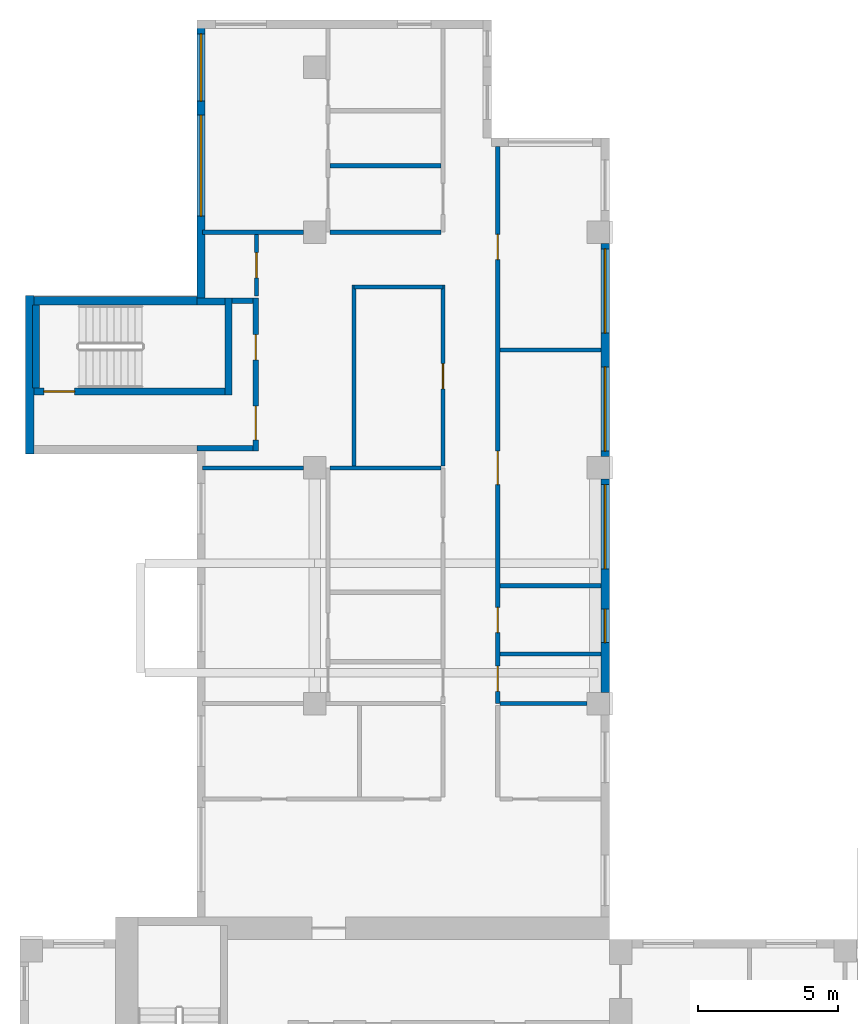
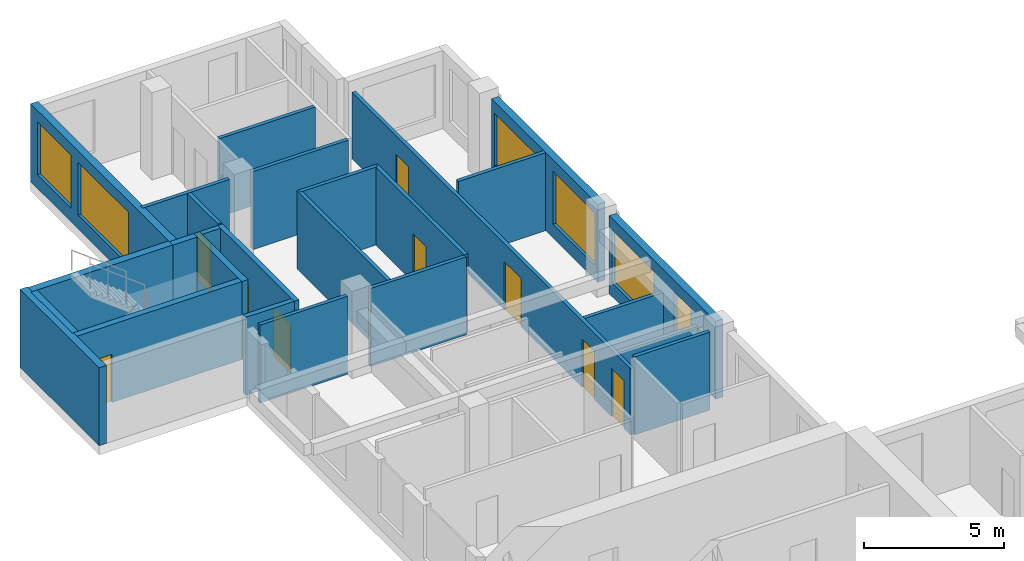
# One storey, part 6 of 11: 26 walls, 9 doors, 6 windows, 15 openings.
"""IFC4 building model written with IfcOpenShell, lengths in metres."""

from ifc_helpers import new_model, si_unit, direction, frame, frame_2d, origin, place, context, subcontext, project, spatial, rectangle, extrude, source, transform, mapped, material, layer, layer_set, type_object, element, fill, save


model = new_model("IFC4")

# Units and contexts
model_context = context("Model", 3, precision=1e-05, world=origin(), true_north=direction((0.0, 1.0)))
body_context = subcontext(model_context, "Body", "Model", "MODEL_VIEW")
ifc_project = project(units=[si_unit("LENGTHUNIT", "METRE"), si_unit("AREAUNIT", "SQUARE_METRE"), si_unit("VOLUMEUNIT", "CUBIC_METRE"), si_unit("PLANEANGLEUNIT", "RADIAN"), si_unit("MASSUNIT", "GRAM", prefix="KILO")], contexts=[model_context])

# Site, building, storey
site_placement = place(None, origin())
site = spatial("IfcSite", under=ifc_project, at=site_placement, CompositionType="ELEMENT")
building_placement = place(site_placement, origin())
building = spatial("IfcBuilding", under=site, at=building_placement, Name="Aurelian Terraces", CompositionType="ELEMENT")
storey_placement = place(building_placement, frame((0.0, 0.0, 250.0)))
storey = spatial("IfcBuildingStorey", under=building, at=storey_placement, Name="L57", CompositionType="ELEMENT", Elevation=250.0)

# Wall
ifc_material_1 = material(Name="Concrete fc' 40 MPa", Category="concrete")
ifc_layer_1 = layer(ifc_material_1, 0.3)
ifc_layer_set_1 = layer_set([ifc_layer_1], Name="STAIR BAY WALL 300")
wall_type_1 = type_object("IfcWallType", Name="STAIR BAY WALL 300", PredefinedType="SOLIDWALL", material=ifc_layer_set_1)
shared_shape_1 = source(origin(), body_context, "Body", "SweptSolid", [
    extrude(rectangle(XDim=6.1, YDim=0.3, at=frame_2d((3.05, 0.0))), origin(), (0.0, 0.0, 1.0), 3.4),
])
wall_1_placement = place(storey_placement, frame((6.3, 43.75, 0.0), z_axis=(0.0, 0.0, 1.0), x_axis=(-1.0, 0.0, 0.0)))
element("IfcWall", 1, at=wall_1_placement, inside=storey, type_object=wall_type_1, Name="Stair bay wall L57 F13.26", PredefinedType="SOLIDWALL", context=body_context, shape_type="MappedRepresentation", body=[
    mapped(shared_shape_1, transform((0.0, 0.0, 0.0), scale=1.0)),
])

# Wall, openings, windows
ifc_material_2 = material(Name="Terracotta rainscreen cladding", Category="masonry")
ifc_layer_2 = layer(ifc_material_2, 0.3)
ifc_layer_set_2 = layer_set([ifc_layer_2], Name="EW-300")
wall_type_2 = type_object("IfcWallType", Name="EW-300", PredefinedType="STANDARD", material=ifc_layer_set_2)
shared_shape_2 = source(origin(), body_context, "Body", "SweptSolid", [
    extrude(rectangle(XDim=9.91, YDim=0.3, at=frame_2d((4.955, 0.0))), origin(), (0.0, 0.0, 1.0), 3.4),
])
wall_2_placement = place(storey_placement, frame((6.45, 53.76, 0.0), z_axis=(0.0, 0.0, 1.0), x_axis=(0.0, -1.0, 0.0)))
wall_2 = element("IfcWall", 2, at=wall_2_placement, inside=storey, type_object=wall_type_2, Name="External wall L57 F12.25", PredefinedType="STANDARD", context=body_context, shape_type="MappedRepresentation", body=[
    mapped(shared_shape_2, transform((0.0, 0.0, 0.0), scale=1.0)),
])
shared_shape_3 = source(origin(), body_context, "Body", "SweptSolid", [
    extrude(rectangle(XDim=3.6, YDim=2.3, at=frame_2d((1.8, 1.15))), frame((0.0, 0.16, 0.0), z_axis=(0.0, -1.0, 0.0), x_axis=(1.0, 0.0, 0.0)), (0.0, 0.0, 1.0), 0.32),
])
opening_1_placement = place(wall_2_placement, frame((3.39, 0.0, 0.6)))
opening_1 = element("IfcOpeningElement", 3, at=opening_1_placement, cuts=wall_2, Name="Opening W3623", PredefinedType="OPENING", context=body_context, shape_type="MappedRepresentation", body=[
    mapped(shared_shape_3, transform((0.0, 0.0, 0.0), scale=1.0)),
])
shared_shape_4 = source(origin(), body_context, "Body", "SweptSolid", [
    extrude(rectangle(XDim=2.4, YDim=2.3, at=frame_2d((1.2, 1.15))), frame((0.0, 0.16, 0.0), z_axis=(0.0, -1.0, 0.0), x_axis=(1.0, 0.0, 0.0)), (0.0, 0.0, 1.0), 0.32),
])
opening_2_placement = place(wall_2_placement, frame((0.495, 0.0, 0.6)))
opening_2 = element("IfcOpeningElement", 4, at=opening_2_placement, cuts=wall_2, Name="Opening W2423", PredefinedType="OPENING", context=body_context, shape_type="MappedRepresentation", body=[
    mapped(shared_shape_4, transform((0.0, 0.0, 0.0), scale=1.0)),
])
ifc_material_3 = material(Name="Clear glazing", Category="glass")
window_type_1 = type_object("IfcWindowType", Name="W-3600x2300", PartitioningType="SINGLE_PANEL", PredefinedType="WINDOW", material=ifc_material_3)
shared_shape_5 = source(origin(), body_context, "Body", "SweptSolid", [
    extrude(rectangle(XDim=3.6, YDim=2.3, at=frame_2d((1.8, 1.15))), frame((0.0, 0.03, 0.0), z_axis=(0.0, -1.0, 0.0), x_axis=(1.0, 0.0, 0.0)), (0.0, 0.0, 1.0), 0.06),
])
window_1_placement = place(opening_1_placement, origin())
window_1 = element("IfcWindow", 5, at=window_1_placement, inside=storey, type_object=window_type_1, Name="Window L57 L57-F12-25-1", OverallHeight=2.3, OverallWidth=3.6, PartitioningType="SINGLE_PANEL", PredefinedType="WINDOW", context=body_context, shape_type="MappedRepresentation", body=[
    mapped(shared_shape_5, transform((0.0, 0.0, 0.0), scale=1.0)),
])
fill(opening_1, window_1)
window_type_2 = type_object("IfcWindowType", Name="W-2400x2300", PartitioningType="SINGLE_PANEL", PredefinedType="WINDOW", material=ifc_material_3)
shared_shape_6 = source(origin(), body_context, "Body", "SweptSolid", [
    extrude(rectangle(XDim=2.4, YDim=2.3, at=frame_2d((1.2, 1.15))), frame((0.0, 0.03, 0.0), z_axis=(0.0, -1.0, 0.0), x_axis=(1.0, 0.0, 0.0)), (0.0, 0.0, 1.0), 0.06),
])
window_2_placement = place(opening_2_placement, origin())
window_2 = element("IfcWindow", 6, at=window_2_placement, inside=storey, type_object=window_type_2, Name="Window L57 L57-F12-25-G0-0", OverallHeight=2.3, OverallWidth=2.4, PartitioningType="SINGLE_PANEL", PredefinedType="WINDOW", context=body_context, shape_type="MappedRepresentation", body=[
    mapped(shared_shape_6, transform((0.0, 0.0, 0.0), scale=1.0)),
])
fill(opening_2, window_2)

# Wall
shared_shape_7 = source(origin(), body_context, "Body", "SweptSolid", [
    extrude(rectangle(XDim=5.65, YDim=0.3, at=frame_2d((2.825, 0.0))), origin(), (0.0, 0.0, 1.0), 3.4),
])
wall_3_placement = place(storey_placement, frame((0.35, 43.95, 0.0), z_axis=(0.0, 0.0, 1.0), x_axis=(0.0, -1.0, 0.0)))
element("IfcWall", 7, at=wall_3_placement, inside=storey, type_object=wall_type_1, Name="Stair bay wall L57 F14.27", PredefinedType="SOLIDWALL", context=body_context, shape_type="MappedRepresentation", body=[
    mapped(shared_shape_7, transform((0.0, 0.0, 0.0), scale=1.0)),
])

# Wall, openings, windows
shared_shape_8 = source(origin(), body_context, "Body", "SweptSolid", [
    extrude(rectangle(XDim=7.6, YDim=0.3, at=frame_2d((3.8, 0.0))), origin(), (0.0, 0.0, 1.0), 3.4),
])
wall_4_placement = place(storey_placement, frame((20.85, 29.8, 0.0), z_axis=(0.0, 0.0, 1.0), x_axis=(0.0, 1.0, 0.0)))
wall_4 = element("IfcWall", 8, at=wall_4_placement, inside=storey, type_object=wall_type_2, Name="External wall L57 F08.18", PredefinedType="STANDARD", context=body_context, shape_type="MappedRepresentation", body=[
    mapped(shared_shape_8, transform((0.0, 0.0, 0.0), scale=1.0)),
])
shared_shape_9 = source(origin(), body_context, "Body", "SweptSolid", [
    extrude(rectangle(XDim=1.2, YDim=2.3, at=frame_2d((0.6, 1.15))), frame((0.0, 0.16, 0.0), z_axis=(0.0, -1.0, 0.0), x_axis=(1.0, 0.0, 0.0)), (0.0, 0.0, 1.0), 0.32),
])
opening_3_placement = place(wall_4_placement, frame((1.769, 0.0, 0.6)))
opening_3 = element("IfcOpeningElement", 9, at=opening_3_placement, cuts=wall_4, Name="Opening W1223", PredefinedType="OPENING", context=body_context, shape_type="MappedRepresentation", body=[
    mapped(shared_shape_9, transform((0.0, 0.0, 0.0), scale=1.0)),
])
shared_shape_10 = source(origin(), body_context, "Body", "SweptSolid", [
    extrude(rectangle(XDim=3.0, YDim=2.3, at=frame_2d((1.5, 1.15))), frame((0.0, 0.16, 0.0), z_axis=(0.0, -1.0, 0.0), x_axis=(1.0, 0.0, 0.0)), (0.0, 0.0, 1.0), 0.32),
])
opening_4_placement = place(wall_4_placement, frame((4.4, 0.0, 0.6)))
opening_4 = element("IfcOpeningElement", 10, at=opening_4_placement, cuts=wall_4, Name="Opening W3023", PredefinedType="OPENING", context=body_context, shape_type="MappedRepresentation", body=[
    mapped(shared_shape_10, transform((0.0, 0.0, 0.0), scale=1.0)),
])
window_type_3 = type_object("IfcWindowType", Name="W-3000x2300", PartitioningType="SINGLE_PANEL", PredefinedType="WINDOW", material=ifc_material_3)
shared_shape_11 = source(origin(), body_context, "Body", "SweptSolid", [
    extrude(rectangle(XDim=3.0, YDim=2.3, at=frame_2d((1.5, 1.15))), frame((0.0, 0.03, 0.0), z_axis=(0.0, -1.0, 0.0), x_axis=(1.0, 0.0, 0.0)), (0.0, 0.0, 1.0), 0.06),
])
window_3_placement = place(opening_4_placement, origin())
window_3 = element("IfcWindow", 11, at=window_3_placement, inside=storey, type_object=window_type_3, Name="Window L57 L57-F08-18-1", OverallHeight=2.3, OverallWidth=3.0, PartitioningType="SINGLE_PANEL", PredefinedType="WINDOW", context=body_context, shape_type="MappedRepresentation", body=[
    mapped(shared_shape_11, transform((0.0, 0.0, 0.0), scale=1.0)),
])
fill(opening_4, window_3)
window_type_4 = type_object("IfcWindowType", Name="W-1200x2300", PartitioningType="SINGLE_PANEL", PredefinedType="WINDOW", material=ifc_material_3)
shared_shape_12 = source(origin(), body_context, "Body", "SweptSolid", [
    extrude(rectangle(XDim=1.2, YDim=2.3, at=frame_2d((0.6, 1.15))), frame((0.0, 0.03, 0.0), z_axis=(0.0, -1.0, 0.0), x_axis=(1.0, 0.0, 0.0)), (0.0, 0.0, 1.0), 0.06),
])
window_4_placement = place(opening_3_placement, origin())
window_4 = element("IfcWindow", 12, at=window_4_placement, inside=storey, type_object=window_type_4, Name="Window L57 L57-F08-18-0", OverallHeight=2.3, OverallWidth=1.2, PartitioningType="SINGLE_PANEL", PredefinedType="WINDOW", context=body_context, shape_type="MappedRepresentation", body=[
    mapped(shared_shape_12, transform((0.0, 0.0, 0.0), scale=1.0)),
])
fill(opening_3, window_4)

wall_5_placement = place(storey_placement, frame((20.85, 38.2, 0.0), z_axis=(0.0, 0.0, 1.0), x_axis=(0.0, 1.0, 0.0)))
wall_5 = element("IfcWall", 13, at=wall_5_placement, inside=storey, type_object=wall_type_2, Name="External wall L57 F08.19", PredefinedType="STANDARD", context=body_context, shape_type="MappedRepresentation", body=[
    mapped(shared_shape_8, transform((0.0, 0.0, 0.0), scale=1.0)),
])
opening_5_placement = place(wall_5_placement, frame((0.2, 0.0, 0.6)))
opening_5 = element("IfcOpeningElement", 14, at=opening_5_placement, cuts=wall_5, Name="Opening W3023", PredefinedType="OPENING", context=body_context, shape_type="MappedRepresentation", body=[
    mapped(shared_shape_10, transform((0.0, 0.0, 0.0), scale=1.0)),
])
opening_6_placement = place(wall_5_placement, frame((4.4, 0.0, 0.6)))
opening_6 = element("IfcOpeningElement", 15, at=opening_6_placement, cuts=wall_5, Name="Opening W3023", PredefinedType="OPENING", context=body_context, shape_type="MappedRepresentation", body=[
    mapped(shared_shape_10, transform((0.0, 0.0, 0.0), scale=1.0)),
])
window_5_placement = place(opening_5_placement, origin())
window_5 = element("IfcWindow", 16, at=window_5_placement, inside=storey, type_object=window_type_3, Name="Window L57 L57-F08-19-0", OverallHeight=2.3, OverallWidth=3.0, PartitioningType="SINGLE_PANEL", PredefinedType="WINDOW", context=body_context, shape_type="MappedRepresentation", body=[
    mapped(shared_shape_11, transform((0.0, 0.0, 0.0), scale=1.0)),
])
fill(opening_5, window_5)
window_6_placement = place(opening_6_placement, origin())
window_6 = element("IfcWindow", 17, at=window_6_placement, inside=storey, type_object=window_type_3, Name="Window L57 L57-F08-19-1", OverallHeight=2.3, OverallWidth=3.0, PartitioningType="SINGLE_PANEL", PredefinedType="WINDOW", context=body_context, shape_type="MappedRepresentation", body=[
    mapped(shared_shape_11, transform((0.0, 0.0, 0.0), scale=1.0)),
])
fill(opening_6, window_6)

# Wall, opening, door
ifc_layer_3 = layer(ifc_material_1, 0.25)
ifc_layer_set_3 = layer_set([ifc_layer_3], Name="Stair enclosure wall 250")
wall_type_3 = type_object("IfcWallType", Name="Stair enclosure wall 250", PredefinedType="SOLIDWALL", material=ifc_layer_set_3)
shared_shape_13 = source(origin(), body_context, "Body", "SweptSolid", [
    extrude(rectangle(XDim=7.0, YDim=0.25, at=frame_2d((3.5, 0.0))), origin(), (0.0, 0.0, 1.0), 3.4),
])
wall_6_placement = place(storey_placement, frame((0.3, 40.525, 0.0), z_axis=(0.0, 0.0, 1.0), x_axis=(1.0, 0.0, 0.0)))
wall_6 = element("IfcWall", 18, at=wall_6_placement, inside=storey, type_object=wall_type_3, Name="L57 core wall ST-S3-W", PredefinedType="SOLIDWALL", context=body_context, shape_type="MappedRepresentation", body=[
    mapped(shared_shape_13, transform((0.0, 0.0, 0.0), scale=1.0)),
])
shared_shape_14 = source(origin(), body_context, "Body", "SweptSolid", [
    extrude(rectangle(XDim=1.1, YDim=2.1, at=frame_2d((0.55, 1.05))), frame((0.0, 0.135, 0.0), z_axis=(0.0, -1.0, 0.0), x_axis=(1.0, 0.0, 0.0)), (0.0, 0.0, 1.0), 0.27),
])
opening_7_placement = place(wall_6_placement, frame((0.55, 0.0, 0.0)))
opening_7 = element("IfcOpeningElement", 19, at=opening_7_placement, cuts=wall_6, Name="Opening 66018", PredefinedType="OPENING", context=body_context, shape_type="MappedRepresentation", body=[
    mapped(shared_shape_14, transform((0.0, 0.0, 0.0), scale=1.0)),
])
ifc_material_4 = material(Name="Steel door leaf", Category="steel")
door_type_1 = type_object("IfcDoorType", Name="Core fire door 1100x2100", OperationType="SINGLE_SWING_LEFT", PredefinedType="DOOR", material=ifc_material_4)
shared_shape_15 = source(origin(), body_context, "Body", "SweptSolid", [
    extrude(rectangle(XDim=1.1, YDim=2.1, at=frame_2d((0.55, 1.05))), frame((0.0, 0.025, 0.0), z_axis=(0.0, -1.0, 0.0), x_axis=(1.0, 0.0, 0.0)), (0.0, 0.0, 1.0), 0.05),
])
door_1_placement = place(opening_7_placement, origin())
door_1 = element("IfcDoor", 20, at=door_1_placement, inside=storey, type_object=door_type_1, Name="Stair door 66018", OperationType="SINGLE_SWING_LEFT", OverallHeight=2.1, OverallWidth=1.1, PredefinedType="DOOR", context=body_context, shape_type="MappedRepresentation", body=[
    mapped(shared_shape_15, transform((0.0, 0.0, 0.0), scale=1.0)),
])
fill(opening_7, door_1)

# Walls
shared_shape_16 = source(origin(), body_context, "Body", "SweptSolid", [
    extrude(rectangle(XDim=3.45, YDim=0.25, at=frame_2d((1.725, 0.0))), origin(), (0.0, 0.0, 1.0), 3.4),
])
wall_7_placement = place(storey_placement, frame((7.425, 40.4, 0.0), z_axis=(0.0, 0.0, 1.0), x_axis=(0.0, 1.0, 0.0)))
element("IfcWall", 21, at=wall_7_placement, inside=storey, type_object=wall_type_3, Name="L57 core wall ST-S3-N", PredefinedType="SOLIDWALL", context=body_context, shape_type="MappedRepresentation", body=[
    mapped(shared_shape_16, transform((0.0, 0.0, 0.0), scale=1.0)),
])
shared_shape_17 = source(origin(), body_context, "Body", "SweptSolid", [
    extrude(rectangle(XDim=2.95, YDim=0.25, at=frame_2d((1.475, 0.0))), origin(), (0.0, 0.0, 1.0), 3.4),
])
wall_8_placement = place(storey_placement, frame((0.575, 40.65, 0.0), z_axis=(0.0, 0.0, 1.0), x_axis=(0.0, 1.0, 0.0)))
element("IfcWall", 22, at=wall_8_placement, inside=storey, type_object=wall_type_3, Name="L57 core wall ST-S3-SS", PredefinedType="SOLIDWALL", context=body_context, shape_type="MappedRepresentation", body=[
    mapped(shared_shape_17, transform((0.0, 0.0, 0.0), scale=1.0)),
])

# Wall, openings, doors
ifc_material_5 = material(Name="Gypsum board on steel studs", Category="steel")
ifc_layer_4 = layer(ifc_material_5, 0.2)
ifc_layer_set_4 = layer_set([ifc_layer_4], Name="Core partition 200")
wall_type_4 = type_object("IfcWallType", Name="Core partition 200", PredefinedType="PARTITIONING", material=ifc_layer_set_4)
shared_shape_18 = source(origin(), body_context, "Body", "SweptSolid", [
    extrude(rectangle(XDim=5.45, YDim=0.2, at=frame_2d((2.725, 0.0))), origin(), (0.0, 0.0, 1.0), 3.4),
])
wall_9_placement = place(storey_placement, frame((8.4, 38.4, 0.0), z_axis=(0.0, 0.0, 1.0), x_axis=(0.0, 1.0, 0.0)))
wall_9 = element("IfcWall", 23, at=wall_9_placement, inside=storey, type_object=wall_type_4, Name="L57 core wall ST-S3-BN", PredefinedType="PARTITIONING", context=body_context, shape_type="MappedRepresentation", body=[
    mapped(shared_shape_18, transform((0.0, 0.0, 0.0), scale=1.0)),
])
shared_shape_19 = source(origin(), body_context, "Body", "SweptSolid", [
    extrude(rectangle(XDim=1.2, YDim=2.1, at=frame_2d((0.6, 1.05))), frame((0.0, 0.11, 0.0), z_axis=(0.0, -1.0, 0.0), x_axis=(1.0, 0.0, 0.0)), (0.0, 0.0, 1.0), 0.22),
])
opening_8_placement = place(wall_9_placement, frame((0.4, 0.0, 0.0)))
opening_8 = element("IfcOpeningElement", 24, at=opening_8_placement, cuts=wall_9, Name="Opening 66019", PredefinedType="OPENING", context=body_context, shape_type="MappedRepresentation", body=[
    mapped(shared_shape_19, transform((0.0, 0.0, 0.0), scale=1.0)),
])
shared_shape_20 = source(origin(), body_context, "Body", "SweptSolid", [
    extrude(rectangle(XDim=0.9, YDim=2.1, at=frame_2d((0.45, 1.05))), frame((0.0, 0.11, 0.0), z_axis=(0.0, -1.0, 0.0), x_axis=(1.0, 0.0, 0.0)), (0.0, 0.0, 1.0), 0.22),
])
opening_9_placement = place(wall_9_placement, frame((3.25, 0.0, 0.0)))
opening_9 = element("IfcOpeningElement", 25, at=opening_9_placement, cuts=wall_9, Name="Opening 66020", PredefinedType="OPENING", context=body_context, shape_type="MappedRepresentation", body=[
    mapped(shared_shape_20, transform((0.0, 0.0, 0.0), scale=1.0)),
])
door_type_2 = type_object("IfcDoorType", Name="Core riser door 900x2100", OperationType="SINGLE_SWING_LEFT", PredefinedType="DOOR", material=ifc_material_4)
shared_shape_21 = source(origin(), body_context, "Body", "SweptSolid", [
    extrude(rectangle(XDim=0.9, YDim=2.1, at=frame_2d((0.45, 1.05))), frame((0.0, 0.025, 0.0), z_axis=(0.0, -1.0, 0.0), x_axis=(1.0, 0.0, 0.0)), (0.0, 0.0, 1.0), 0.05),
])
door_2_placement = place(opening_9_placement, origin())
door_2 = element("IfcDoor", 26, at=door_2_placement, inside=storey, type_object=door_type_2, Name="Riser door 66020", OperationType="SINGLE_SWING_LEFT", OverallHeight=2.1, OverallWidth=0.9, PredefinedType="DOOR", context=body_context, shape_type="MappedRepresentation", body=[
    mapped(shared_shape_21, transform((0.0, 0.0, 0.0), scale=1.0)),
])
fill(opening_9, door_2)
door_type_3 = type_object("IfcDoorType", Name="Core fire door 1200x2100 right", OperationType="SINGLE_SWING_RIGHT", PredefinedType="DOOR", material=ifc_material_4)
shared_shape_22 = source(origin(), body_context, "Body", "SweptSolid", [
    extrude(rectangle(XDim=1.2, YDim=2.1, at=frame_2d((0.6, 1.05))), frame((0.0, 0.025, 0.0), z_axis=(0.0, -1.0, 0.0), x_axis=(1.0, 0.0, 0.0)), (0.0, 0.0, 1.0), 0.05),
])
door_3_placement = place(opening_8_placement, origin())
door_3 = element("IfcDoor", 27, at=door_3_placement, inside=storey, type_object=door_type_3, Name="Vestibule door 66019", OperationType="SINGLE_SWING_RIGHT", OverallHeight=2.1, OverallWidth=1.2, PredefinedType="DOOR", context=body_context, shape_type="MappedRepresentation", body=[
    mapped(shared_shape_22, transform((0.0, 0.0, 0.0), scale=1.0)),
])
fill(opening_8, door_3)

# Walls
shared_shape_23 = source(origin(), body_context, "Body", "SweptSolid", [
    extrude(rectangle(XDim=0.75, YDim=0.2, at=frame_2d((0.375, 0.0))), origin(), (0.0, 0.0, 1.0), 3.4),
])
wall_10_placement = place(storey_placement, frame((7.55, 43.75, 0.0), z_axis=(0.0, 0.0, 1.0), x_axis=(1.0, 0.0, 0.0)))
element("IfcWall", 28, at=wall_10_placement, inside=storey, type_object=wall_type_4, Name="L57 core wall ST-S3-RE", PredefinedType="PARTITIONING", context=body_context, shape_type="MappedRepresentation", body=[
    mapped(shared_shape_23, transform((0.0, 0.0, 0.0), scale=1.0)),
])
shared_shape_24 = source(origin(), body_context, "Body", "SweptSolid", [
    extrude(rectangle(XDim=1.0, YDim=0.25, at=frame_2d((0.5, 0.0))), origin(), (0.0, 0.0, 1.0), 3.4),
])
wall_11_placement = place(storey_placement, frame((6.3, 43.725, 0.0), z_axis=(0.0, 0.0, 1.0), x_axis=(1.0, 0.0, 0.0)))
element("IfcWall", 29, at=wall_11_placement, inside=storey, type_object=wall_type_3, Name="L57 core wall ST-S3-E", PredefinedType="SOLIDWALL", context=body_context, shape_type="MappedRepresentation", body=[
    mapped(shared_shape_24, transform((0.0, 0.0, 0.0), scale=1.0)),
])
shared_shape_25 = source(origin(), body_context, "Body", "SweptSolid", [
    extrude(rectangle(XDim=2.0, YDim=0.2, at=frame_2d((1.0, 0.0))), origin(), (0.0, 0.0, 1.0), 3.4),
])
wall_12_placement = place(storey_placement, frame((6.3, 38.5, 0.0), z_axis=(0.0, 0.0, 1.0), x_axis=(1.0, 0.0, 0.0)))
element("IfcWall", 30, at=wall_12_placement, inside=storey, type_object=wall_type_4, Name="L57 core wall ST-S3-VW", PredefinedType="PARTITIONING", context=body_context, shape_type="MappedRepresentation", body=[
    mapped(shared_shape_25, transform((0.0, 0.0, 0.0), scale=1.0)),
])
ifc_layer_5 = layer(ifc_material_5, 0.15)
ifc_layer_set_5 = layer_set([ifc_layer_5], Name="Partition 150")
wall_type_5 = type_object("IfcWallType", Name="Partition 150", PredefinedType="PARTITIONING", material=ifc_layer_set_5)
shared_shape_26 = source(origin(), body_context, "Body", "SweptSolid", [
    extrude(rectangle(XDim=6.45, YDim=0.15, at=frame_2d((3.225, 0.0))), origin(), (0.0, 0.0, 1.0), 3.4),
])
wall_13_placement = place(storey_placement, frame((11.9, 44.325, 0.0), z_axis=(0.0, 0.0, 1.0), x_axis=(0.0, -1.0, 0.0)))
element("IfcWall", 31, at=wall_13_placement, inside=storey, type_object=wall_type_5, Name="Partition", PredefinedType="PARTITIONING", context=body_context, shape_type="MappedRepresentation", body=[
    mapped(shared_shape_26, transform((0.0, 0.0, 0.0), scale=1.0)),
])

# Wall, opening, door
ifc_layer_6 = layer(ifc_material_5, 0.15)
ifc_layer_set_6 = layer_set([ifc_layer_6], Name="Fire partition 150")
wall_type_6 = type_object("IfcWallType", Name="Fire partition 150", PredefinedType="PARTITIONING", material=ifc_layer_set_6)
wall_14_placement = place(storey_placement, frame((15.075, 37.875, 0.0), z_axis=(0.0, 0.0, 1.0), x_axis=(0.0, 1.0, 0.0)))
wall_14 = element("IfcWall", 32, at=wall_14_placement, inside=storey, type_object=wall_type_6, Name="Corridor wall", PredefinedType="PARTITIONING", context=body_context, shape_type="MappedRepresentation", body=[
    mapped(shared_shape_26, transform((0.0, 0.0, 0.0), scale=1.0)),
])
shared_shape_27 = source(origin(), body_context, "Body", "SweptSolid", [
    extrude(rectangle(XDim=0.9, YDim=2.1, at=frame_2d((0.45, 1.05))), frame((0.0, 0.085, 0.0), z_axis=(0.0, -1.0, 0.0), x_axis=(1.0, 0.0, 0.0)), (0.0, 0.0, 1.0), 0.17),
])
opening_10_placement = place(wall_14_placement, frame((2.7375, 0.0, 0.0)))
opening_10 = element("IfcOpeningElement", 33, at=opening_10_placement, cuts=wall_14, Name="Opening 757021", PredefinedType="OPENING", context=body_context, shape_type="MappedRepresentation", body=[
    mapped(shared_shape_27, transform((0.0, 0.0, 0.0), scale=1.0)),
])
ifc_material_6 = material(Name="Timber door leaf", Category="wood")
door_type_4 = type_object("IfcDoorType", Name="Room door 900x2100 right", OperationType="SINGLE_SWING_RIGHT", PredefinedType="DOOR", material=ifc_material_6)
door_4_placement = place(opening_10_placement, origin())
door_4 = element("IfcDoor", 34, at=door_4_placement, inside=storey, type_object=door_type_4, Name="Door 757021", OperationType="SINGLE_SWING_RIGHT", OverallHeight=2.1, OverallWidth=0.9, PredefinedType="DOOR", context=body_context, shape_type="MappedRepresentation", body=[
    mapped(shared_shape_21, transform((0.0, 0.0, 0.0), scale=1.0)),
])
fill(opening_10, door_4)

# Wall
shared_shape_28 = source(origin(), body_context, "Body", "SweptSolid", [
    extrude(rectangle(XDim=3.6, YDim=0.15, at=frame_2d((1.8, 0.0))), origin(), (0.0, 0.0, 1.0), 3.4),
])
wall_15_placement = place(storey_placement, frame((20.7, 42.0, 0.0), z_axis=(0.0, 0.0, 1.0), x_axis=(-1.0, 0.0, 0.0)))
element("IfcWall", 35, at=wall_15_placement, inside=storey, type_object=wall_type_6, Name="Party wall", PredefinedType="PARTITIONING", context=body_context, shape_type="MappedRepresentation", body=[
    mapped(shared_shape_28, transform((0.0, 0.0, 0.0), scale=1.0)),
])

# Wall, opening, door
shared_shape_29 = source(origin(), body_context, "Body", "SweptSolid", [
    extrude(rectangle(XDim=2.2, YDim=0.15, at=frame_2d((1.1, 0.0))), origin(), (0.0, 0.0, 1.0), 3.4),
])
wall_16_placement = place(storey_placement, frame((8.425, 43.925, 0.0), z_axis=(0.0, 0.0, 1.0), x_axis=(0.0, 1.0, 0.0)))
wall_16 = element("IfcWall", 36, at=wall_16_placement, inside=storey, type_object=wall_type_5, Name="Partition", PredefinedType="PARTITIONING", context=body_context, shape_type="MappedRepresentation", body=[
    mapped(shared_shape_29, transform((0.0, 0.0, 0.0), scale=1.0)),
])
opening_11_placement = place(wall_16_placement, frame((0.65, 0.0, 0.0)))
opening_11 = element("IfcOpeningElement", 37, at=opening_11_placement, cuts=wall_16, Name="Opening 757022", PredefinedType="OPENING", context=body_context, shape_type="MappedRepresentation", body=[
    mapped(shared_shape_27, transform((0.0, 0.0, 0.0), scale=1.0)),
])
door_5_placement = place(opening_11_placement, origin())
door_5 = element("IfcDoor", 38, at=door_5_placement, inside=storey, type_object=door_type_4, Name="Door 757022", OperationType="SINGLE_SWING_RIGHT", OverallHeight=2.1, OverallWidth=0.9, PredefinedType="DOOR", context=body_context, shape_type="MappedRepresentation", body=[
    mapped(shared_shape_21, transform((0.0, 0.0, 0.0), scale=1.0)),
])
fill(opening_11, door_5)

# Walls
shared_shape_30 = source(origin(), body_context, "Body", "SweptSolid", [
    extrude(rectangle(XDim=3.6, YDim=0.15, at=frame_2d((1.8, 0.0))), origin(), (0.0, 0.0, 1.0), 2.4),
])
wall_17_placement = place(storey_placement, frame((17.1, 31.1634, 0.0), z_axis=(0.0, 0.0, 1.0), x_axis=(1.0, 0.0, 0.0)))
element("IfcWall", 39, at=wall_17_placement, inside=storey, type_object=wall_type_5, Name="Partition", PredefinedType="PARTITIONING", context=body_context, shape_type="MappedRepresentation", body=[
    mapped(shared_shape_30, transform((0.0, 0.0, 0.0), scale=1.0)),
])
wall_18_placement = place(storey_placement, frame((20.7, 33.6, 0.0), z_axis=(0.0, 0.0, 1.0), x_axis=(-1.0, 0.0, 0.0)))
element("IfcWall", 40, at=wall_18_placement, inside=storey, type_object=wall_type_6, Name="Party wall", PredefinedType="PARTITIONING", context=body_context, shape_type="MappedRepresentation", body=[
    mapped(shared_shape_30, transform((0.0, 0.0, 0.0), scale=1.0)),
])
shared_shape_31 = source(origin(), body_context, "Body", "SweptSolid", [
    extrude(rectangle(XDim=3.175, YDim=0.15, at=frame_2d((1.5875, 0.0))), origin(), (0.0, 0.0, 1.0), 3.4),
])
wall_19_placement = place(storey_placement, frame((15.075, 44.25, 0.0), z_axis=(0.0, 0.0, 1.0), x_axis=(-1.0, 0.0, 0.0)))
element("IfcWall", 41, at=wall_19_placement, inside=storey, type_object=wall_type_5, Name="Partition", PredefinedType="PARTITIONING", context=body_context, shape_type="MappedRepresentation", body=[
    mapped(shared_shape_31, transform((0.0, 0.0, 0.0), scale=1.0)),
])

# Wall, openings, doors
shared_shape_32 = source(origin(), body_context, "Body", "SweptSolid", [
    extrude(rectangle(XDim=19.86, YDim=0.15, at=frame_2d((9.93, 0.0))), origin(), (0.0, 0.0, 1.0), 2.9),
])
wall_20_placement = place(storey_placement, frame((17.025, 49.26, 0.0), z_axis=(0.0, 0.0, 1.0), x_axis=(0.0, -1.0, 0.0)))
wall_20 = element("IfcWall", 42, at=wall_20_placement, inside=storey, type_object=wall_type_6, Name="Corridor wall", PredefinedType="PARTITIONING", context=body_context, shape_type="MappedRepresentation", body=[
    mapped(shared_shape_32, transform((0.0, 0.0, 0.0), scale=1.0)),
])
opening_12_placement = place(wall_20_placement, frame((18.5283, 0.0, 0.0)))
opening_12 = element("IfcOpeningElement", 43, at=opening_12_placement, cuts=wall_20, Name="Opening 757031", PredefinedType="OPENING", context=body_context, shape_type="MappedRepresentation", body=[
    mapped(shared_shape_27, transform((0.0, 0.0, 0.0), scale=1.0)),
])
opening_13_placement = place(wall_20_placement, frame((16.4283, 0.0, 0.0)))
opening_13 = element("IfcOpeningElement", 44, at=opening_13_placement, cuts=wall_20, Name="Opening 757032", PredefinedType="OPENING", context=body_context, shape_type="MappedRepresentation", body=[
    mapped(shared_shape_27, transform((0.0, 0.0, 0.0), scale=1.0)),
])
shared_shape_33 = source(origin(), body_context, "Body", "SweptSolid", [
    extrude(rectangle(XDim=1.2, YDim=2.1, at=frame_2d((0.6, 1.05))), frame((0.0, 0.085, 0.0), z_axis=(0.0, -1.0, 0.0), x_axis=(1.0, 0.0, 0.0)), (0.0, 0.0, 1.0), 0.17),
])
opening_14_placement = place(wall_20_placement, frame((10.86, 0.0, 0.0)))
opening_14 = element("IfcOpeningElement", 45, at=opening_14_placement, cuts=wall_20, Name="Opening 757033", PredefinedType="OPENING", context=body_context, shape_type="MappedRepresentation", body=[
    mapped(shared_shape_33, transform((0.0, 0.0, 0.0), scale=1.0)),
])
opening_15_placement = place(wall_20_placement, frame((3.1425, 0.0, 0.0)))
opening_15 = element("IfcOpeningElement", 46, at=opening_15_placement, cuts=wall_20, Name="Opening 757034", PredefinedType="OPENING", context=body_context, shape_type="MappedRepresentation", body=[
    mapped(shared_shape_27, transform((0.0, 0.0, 0.0), scale=1.0)),
])
door_type_5 = type_object("IfcDoorType", Name="Entrance fire door 900x2100 left", OperationType="SINGLE_SWING_LEFT", PredefinedType="DOOR", material=ifc_material_4)
door_6_placement = place(opening_12_placement, origin())
door_6 = element("IfcDoor", 47, at=door_6_placement, inside=storey, type_object=door_type_5, Name="Door 757031", OperationType="SINGLE_SWING_LEFT", OverallHeight=2.1, OverallWidth=0.9, PredefinedType="DOOR", context=body_context, shape_type="MappedRepresentation", body=[
    mapped(shared_shape_21, transform((0.0, 0.0, 0.0), scale=1.0)),
])
fill(opening_12, door_6)
door_type_6 = type_object("IfcDoorType", Name="Entrance fire door 900x2100 right", OperationType="SINGLE_SWING_RIGHT", PredefinedType="DOOR", material=ifc_material_4)
door_7_placement = place(opening_13_placement, origin())
door_7 = element("IfcDoor", 48, at=door_7_placement, inside=storey, type_object=door_type_6, Name="Door 757032", OperationType="SINGLE_SWING_RIGHT", OverallHeight=2.1, OverallWidth=0.9, PredefinedType="DOOR", context=body_context, shape_type="MappedRepresentation", body=[
    mapped(shared_shape_21, transform((0.0, 0.0, 0.0), scale=1.0)),
])
fill(opening_13, door_7)
door_8_placement = place(opening_15_placement, origin())
door_8 = element("IfcDoor", 49, at=door_8_placement, inside=storey, type_object=door_type_5, Name="Door 757034", OperationType="SINGLE_SWING_LEFT", OverallHeight=2.1, OverallWidth=0.9, PredefinedType="DOOR", context=body_context, shape_type="MappedRepresentation", body=[
    mapped(shared_shape_21, transform((0.0, 0.0, 0.0), scale=1.0)),
])
fill(opening_15, door_8)
door_type_7 = type_object("IfcDoorType", Name="Entrance fire door 1200x2100 left", OperationType="SINGLE_SWING_LEFT", PredefinedType="DOOR", material=ifc_material_4)
door_9_placement = place(opening_14_placement, origin())
door_9 = element("IfcDoor", 50, at=door_9_placement, inside=storey, type_object=door_type_7, Name="Door 757033", OperationType="SINGLE_SWING_LEFT", OverallHeight=2.1, OverallWidth=1.2, PredefinedType="DOOR", context=body_context, shape_type="MappedRepresentation", body=[
    mapped(shared_shape_22, transform((0.0, 0.0, 0.0), scale=1.0)),
])
fill(opening_14, door_9)

# Walls
shared_shape_34 = source(origin(), body_context, "Body", "SweptSolid", [
    extrude(rectangle(XDim=3.95, YDim=0.15, at=frame_2d((1.975, 0.0))), origin(), (0.0, 0.0, 1.0), 3.4),
])
wall_21_placement = place(storey_placement, frame((15.0, 37.8, 0.0), z_axis=(0.0, 0.0, 1.0), x_axis=(-1.0, 0.0, 0.0)))
element("IfcWall", 51, at=wall_21_placement, inside=storey, type_object=wall_type_6, Name="Party wall", PredefinedType="PARTITIONING", context=body_context, shape_type="MappedRepresentation", body=[
    mapped(shared_shape_34, transform((0.0, 0.0, 0.0), scale=1.0)),
])
wall_22_placement = place(storey_placement, frame((15.0, 48.5699, 0.0), z_axis=(0.0, 0.0, 1.0), x_axis=(-1.0, 0.0, 0.0)))
element("IfcWall", 52, at=wall_22_placement, inside=storey, type_object=wall_type_5, Name="Partition", PredefinedType="PARTITIONING", context=body_context, shape_type="MappedRepresentation", body=[
    mapped(shared_shape_34, transform((0.0, 0.0, 0.0), scale=1.0)),
])
wall_23_placement = place(storey_placement, frame((15.0, 46.2, 0.0), z_axis=(0.0, 0.0, 1.0), x_axis=(-1.0, 0.0, 0.0)))
element("IfcWall", 53, at=wall_23_placement, inside=storey, type_object=wall_type_6, Name="Party wall", PredefinedType="PARTITIONING", context=body_context, shape_type="MappedRepresentation", body=[
    mapped(shared_shape_34, transform((0.0, 0.0, 0.0), scale=1.0)),
])
shared_shape_35 = source(origin(), body_context, "Body", "SweptSolid", [
    extrude(rectangle(XDim=3.101, YDim=0.15, at=frame_2d((1.5505, 0.0))), origin(), (0.0, 0.0, 1.0), 3.4),
])
wall_24_placement = place(storey_placement, frame((20.201, 29.4, 0.0), z_axis=(0.0, 0.0, 1.0), x_axis=(-1.0, 0.0, 0.0)))
element("IfcWall", 54, at=wall_24_placement, inside=storey, type_object=wall_type_5, Name="Partition", PredefinedType="PARTITIONING", context=body_context, shape_type="MappedRepresentation", body=[
    mapped(shared_shape_35, transform((0.0, 0.0, 0.0), scale=1.0)),
])
shared_shape_36 = source(origin(), body_context, "Body", "SweptSolid", [
    extrude(rectangle(XDim=3.596, YDim=0.15, at=frame_2d((1.798, 0.0))), origin(), (0.0, 0.0, 1.0), 3.4),
])
for number, where, z_axis, x_axis, name in (
    (55, (10.101, 37.8, 0.0), (0.0, 0.0, 1.0), (-1.0, 0.0, 0.0), "Party wall"),
    (56, (10.101, 46.2, 0.0), (0.0, 0.0, 1.0), (-1.0, 0.0, 0.0), "Party wall"),
):
    element("IfcWall", number, at=place(storey_placement, frame(where, z_axis=z_axis, x_axis=x_axis)), inside=storey, type_object=wall_type_6, Name=name, PredefinedType="PARTITIONING", context=body_context, shape_type="MappedRepresentation", body=[
        mapped(shared_shape_36, transform((0.0, 0.0, 0.0), scale=1.0)),
    ])

save(model, "model.ifc")
